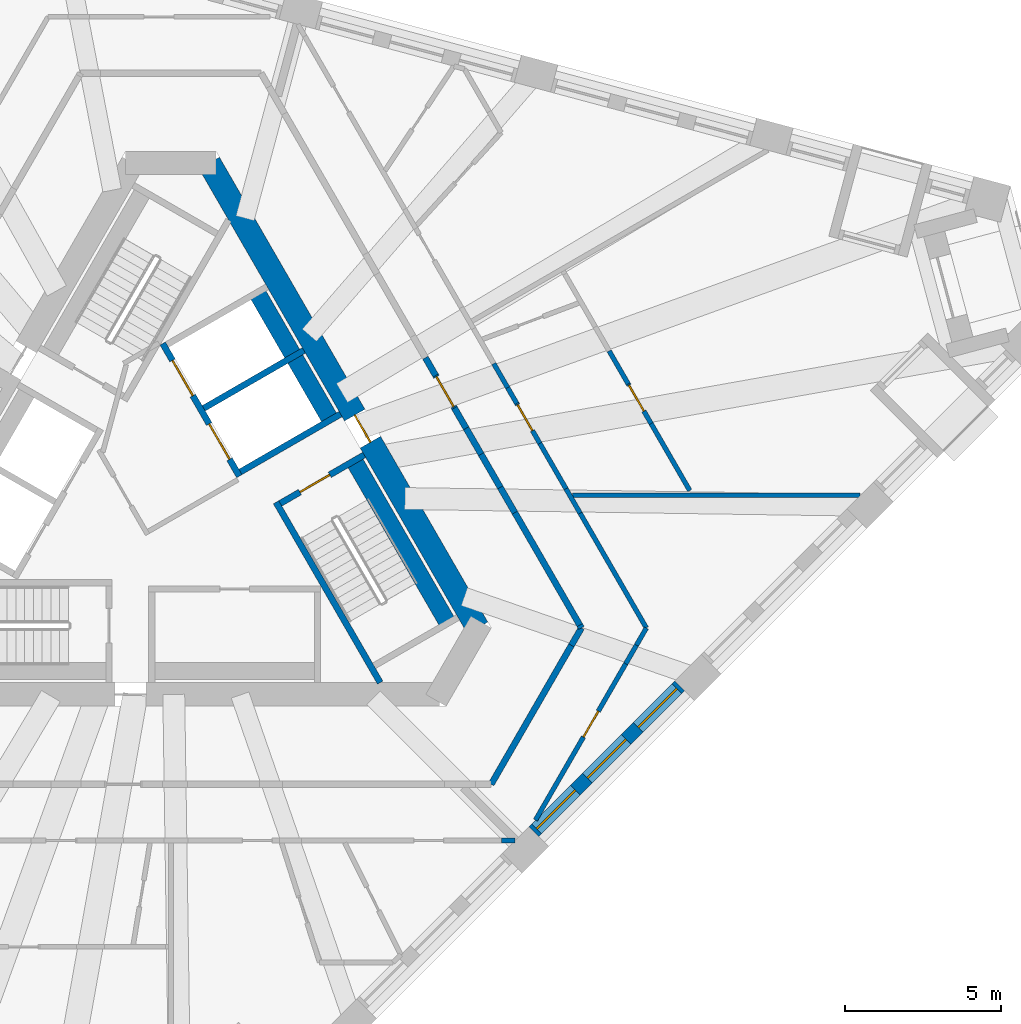
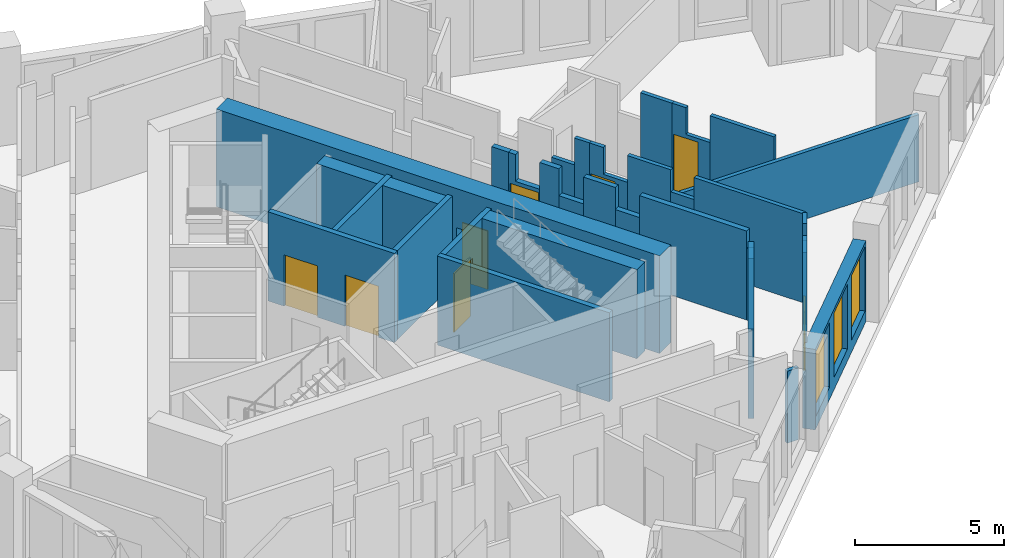
# One storey, part 5 of 13: 33 walls, 8 doors, 3 windows, 11 openings.
"""IFC4 building model written with IfcOpenShell, lengths in metres."""

import ifcopenshell
import ifcopenshell.guid

model = None  # the IFC model being written
_history = None  # IfcOwnerHistory: only IFC2X3 demands one
_inside = {}  # id of a spatial element -> (the spatial element, [elements in it])
_under = {}  # id of a project, library or spatial element -> (it, [spatial elements below it])
_declared = {}  # id of a project -> (the project, [libraries it declares])
_typed = {}  # id of a type object -> (the type object, [elements of that type])
_made_of = {}  # id of a material, layer set ... -> (it, [elements and type objects made of it])


def new_model(schema):
    """Start an empty IFC model of exactly this schema.

    Asked for "IFC4X3", IfcOpenShell would pick the latest addendum, in which some entities
    have other attributes; the version numbers below select the first issue.
    IFC2X3 requires an IfcOwnerHistory on every rooted entity: one is made here for all.
    """
    global model, _history
    if schema == "IFC4X3":
        model = ifcopenshell.file(schema_version=(4, 3, 0, 0))
    else:
        model = ifcopenshell.file(schema=schema)
    _inside.clear()
    _under.clear()
    _declared.clear()
    _typed.clear()
    _made_of.clear()
    _history = None
    if model.schema == "IFC2X3":
        org = make("IfcOrganization", Name="unknown")
        user = make(
            "IfcPersonAndOrganization",
            ThePerson=make("IfcPerson", FamilyName="unknown"),
            TheOrganization=org,
        )
        app = make(
            "IfcApplication",
            ApplicationDeveloper=org,
            Version="unknown",
            ApplicationFullName="unknown",
            ApplicationIdentifier="unknown",
        )
        _history = make(
            "IfcOwnerHistory",
            OwningUser=user,
            OwningApplication=app,
            ChangeAction="ADDED",
            CreationDate=0,
        )
    return model


def make(cls, **values):
    """One entity of the class cls with the attributes given. An attribute that is None is left unset."""
    return model.create_entity(
        cls, **{name: value for name, value in values.items() if value is not None}
    )


def rooted(cls, **values):
    """An entity with a GlobalId (a new one), such as an element, a storey or a relation."""
    return make(cls, GlobalId=ifcopenshell.guid.new(), OwnerHistory=_history, **values)


def si_unit(unit_type, name, prefix=None):
    """IfcSIUnit, for example si_unit("LENGTHUNIT", "METRE", prefix="MILLI")."""
    return make("IfcSIUnit", UnitType=unit_type, Prefix=prefix, Name=name)


def assignment(units):
    """IfcUnitAssignment: the units of a project."""
    return None if units is None else make("IfcUnitAssignment", Units=units)


def point(xyz):
    """IfcCartesianPoint."""
    return None if xyz is None else make("IfcCartesianPoint", Coordinates=xyz)


def direction(xyz):
    """IfcDirection."""
    return None if xyz is None else make("IfcDirection", DirectionRatios=xyz)


def frame(location, z_axis=None, x_axis=None):
    """IfcAxis2Placement3D, a coordinate frame: its origin and axes. An axis left out is left unset."""
    return make(
        "IfcAxis2Placement3D",
        Location=point(location),
        Axis=direction(z_axis),
        RefDirection=direction(x_axis),
    )


def frame_2d(location, x_axis=None):
    """IfcAxis2Placement2D, a coordinate frame in the plane: its origin and x axis."""
    return make(
        "IfcAxis2Placement2D", Location=point(location), RefDirection=direction(x_axis)
    )


def origin():
    """The frame at (0, 0, 0) with its axes left unset."""
    return frame((0.0, 0.0, 0.0))


def place(relative_to, where):
    """IfcLocalPlacement: puts the frame where relative to a parent placement (None: the world)."""
    return make(
        "IfcLocalPlacement", PlacementRelTo=relative_to, RelativePlacement=where
    )


def context(
    kind, dimensions, precision=None, world=None, true_north=None, identifier=None
):
    """IfcGeometricRepresentationContext, for example the 3D "Model" context."""
    return make(
        "IfcGeometricRepresentationContext",
        ContextIdentifier=identifier,
        ContextType=kind,
        CoordinateSpaceDimension=dimensions,
        Precision=precision,
        WorldCoordinateSystem=world,
        TrueNorth=true_north,
    )


def subcontext(parent, identifier, kind, view, scale=None):
    """IfcGeometricRepresentationSubContext, for example "Body" below "Model"."""
    return make(
        "IfcGeometricRepresentationSubContext",
        ContextIdentifier=identifier,
        ContextType=kind,
        ParentContext=parent,
        TargetScale=scale,
        TargetView=view,
    )


def project(units=None, contexts=None):
    """IfcProject with its units and contexts."""
    return rooted(
        "IfcProject",
        Name="project",
        RepresentationContexts=contexts,
        UnitsInContext=assignment(units),
    )


def spatial(cls, under=None, at=None, **own):
    """A site, building, storey or space (cls), placed at a placement, below another one or the project."""
    s = rooted(cls, ObjectPlacement=at, **own)
    if under is not None:
        _under.setdefault(under.id(), (under, []))[1].append(s)
    return s


def polyline(points):
    """IfcPolyline through the points."""
    return make("IfcPolyline", Points=[point(p) for p in points])


def profile(cls, at=None, kind="AREA", **sizes):
    """A parametric profile (cls). Its sizes go by their IFC names, for example OverallWidth=200.0."""
    return make(cls, ProfileType=kind, Position=at, **sizes)


def rectangle(**sizes):
    """IfcRectangleProfileDef."""
    return profile("IfcRectangleProfileDef", **sizes)


def outline(outer, holes=None, kind="AREA"):
    """IfcArbitraryClosedProfileDef: a profile drawn as a closed curve; with holes, ...WithVoids."""
    if holes is None:
        return make("IfcArbitraryClosedProfileDef", ProfileType=kind, OuterCurve=outer)
    return make(
        "IfcArbitraryProfileDefWithVoids",
        ProfileType=kind,
        OuterCurve=outer,
        InnerCurves=holes,
    )


def extrude(swept, where, along, depth):
    """IfcExtrudedAreaSolid: the profile swept, set in the frame where, extruded along a direction by depth."""
    return make(
        "IfcExtrudedAreaSolid",
        SweptArea=swept,
        Position=where,
        ExtrudedDirection=direction(along),
        Depth=depth,
    )


def shape(context_of_items, identifier, shape_type, items):
    """IfcShapeRepresentation: the items that make up one representation, for example the "Body"."""
    return make(
        "IfcShapeRepresentation",
        ContextOfItems=context_of_items,
        RepresentationIdentifier=identifier,
        RepresentationType=shape_type,
        Items=items,
    )


def material(Name=None, Category=None):
    """IfcMaterial."""
    return make("IfcMaterial", Name=Name, Category=Category)


def layer(
    of_material, thickness, ventilated=None, Name=None, Category=None, Priority=None
):
    """IfcMaterialLayer: one layer of a wall or slab, of a material (None: an air gap)."""
    return make(
        "IfcMaterialLayer",
        Material=of_material,
        LayerThickness=thickness,
        IsVentilated=ventilated,
        Name=Name,
        Category=Category,
        Priority=Priority,
    )


def layer_set(layers, Name=None):
    """IfcMaterialLayerSet."""
    return make("IfcMaterialLayerSet", MaterialLayers=layers, LayerSetName=Name)


def made_of(thing, what):
    """Note that an element or type object is made of a material, layer set ...; save() writes the relation."""
    if what is not None:
        _made_of.setdefault(what.id(), (what, []))[1].append(thing)
    return thing


def type_object(cls, material=None, **own):
    """A type object (cls), such as IfcWallType, which elements share."""
    return made_of(rooted(cls, **own), material)


def element(
    cls,
    number,
    at=None,
    inside=None,
    cuts=None,
    type_object=None,
    material=None,
    context=None,
    identifier="Body",
    shape_type=None,
    held_by="IfcProductDefinitionShape",
    body=None,
    shapes=None,
    **own,
):
    """One element of the class cls, such as IfcWall. Its Tag is "e" and its number.

    at: its placement. inside: the storey or other place that contains it. cuts: it is an
    opening in that element (IfcRelVoidsElement). A single representation is given by context,
    identifier, shape_type and body (its items); several are given by shapes. held_by: the class
    of the entity that holds the representations. save() writes the other relations.
    """
    e = rooted(cls, Tag="e%d" % number, ObjectPlacement=at, **own)
    if body is not None:
        shapes = [shape(context, identifier, shape_type, body)]
    if shapes is not None:
        e.Representation = make(held_by, Representations=shapes)
    if inside is not None:
        _inside.setdefault(inside.id(), (inside, []))[1].append(e)
    if cuts is not None:
        rooted(
            "IfcRelVoidsElement", RelatingBuildingElement=cuts, RelatedOpeningElement=e
        )
    if type_object is not None:
        _typed.setdefault(type_object.id(), (type_object, []))[1].append(e)
    return made_of(e, material)


def fill(opening, filler):
    """IfcRelFillsElement: the door or window that sits in an opening."""
    return rooted(
        "IfcRelFillsElement",
        RelatingOpeningElement=opening,
        RelatedBuildingElement=filler,
    )


def aggregate(whole, parts):
    """IfcRelAggregates: a whole, such as a stair, and the parts it consists of."""
    return rooted("IfcRelAggregates", RelatingObject=whole, RelatedObjects=parts)


def save(model, path):
    """Write the relations noted so far, then the file.

    IfcRelAggregates (storeys below a building ...), IfcRelContainedInSpatialStructure (elements
    in a storey), IfcRelDefinesByType, IfcRelAssociatesMaterial and IfcRelDeclares: one each for
    every whole, place, type object, material and project.
    """
    for whole, parts in _under.values():
        aggregate(whole, parts)
    for where, things in _inside.values():
        rooted(
            "IfcRelContainedInSpatialStructure",
            RelatedElements=things,
            RelatingStructure=where,
        )
    for kind, things in _typed.values():
        rooted("IfcRelDefinesByType", RelatedObjects=things, RelatingType=kind)
    for what, things in _made_of.values():
        rooted("IfcRelAssociatesMaterial", RelatedObjects=things, RelatingMaterial=what)
    for by, libraries in _declared.values():
        rooted("IfcRelDeclares", RelatingContext=by, RelatedDefinitions=libraries)
    model.write(path)


model = new_model("IFC4")

# Units and contexts
model_context = context("Model", 3, precision=1e-05, world=origin(), true_north=direction((0.0, 1.0)))
body_context = subcontext(model_context, "Body", "Model", "MODEL_VIEW")
ifc_project = project(units=[si_unit("LENGTHUNIT", "METRE"), si_unit("AREAUNIT", "SQUARE_METRE"), si_unit("VOLUMEUNIT", "CUBIC_METRE"), si_unit("PLANEANGLEUNIT", "RADIAN"), si_unit("MASSUNIT", "GRAM", prefix="KILO")], contexts=[model_context])

# Site, building, storey
site_placement = place(None, origin())
site = spatial("IfcSite", under=ifc_project, at=site_placement, CompositionType="ELEMENT")
building_placement = place(site_placement, origin())
building = spatial("IfcBuilding", under=site, at=building_placement, Name="Tramontana Tower", CompositionType="ELEMENT")
storey_placement = place(building_placement, frame((0.0, 0.0, 204.0)))
storey = spatial("IfcBuildingStorey", under=building, at=storey_placement, Name="L47", CompositionType="ELEMENT", Elevation=204.0)

# Wall, opening, door
ifc_material_1 = material(Name="Concrete 70 MPa", Category="concrete")
ifc_layer_1 = layer(ifc_material_1, 0.75)
ifc_layer_set_1 = layer_set([ifc_layer_1], Name="Core wall 750 70 MPa")
wall_type_1 = type_object("IfcWallType", Name="Core wall 750 70 MPa", PredefinedType="SHEAR", material=ifc_layer_set_1)
wall_1_placement = place(storey_placement, frame((9.81494140625, -4.25, 0.0), z_axis=(0.0, 0.0, 1.0), x_axis=(-0.500002161919, 0.866024155596, 0.0)))
wall_1 = element("IfcWall", 1, at=wall_1_placement, inside=storey, type_object=wall_type_1, Name="Core wall C5 L47", PredefinedType="SHEAR", context=body_context, shape_type="SweptSolid", body=[
    extrude(rectangle(XDim=17.17626953125, YDim=0.75, at=frame_2d((8.588134765625, 0.0))), origin(), (0.0, 0.0, 1.0), 4.0),
])
opening_1_placement = place(wall_1_placement, frame((6.863037109375, 0.0, 0.0)))
opening_1 = element("IfcOpeningElement", 2, at=opening_1_placement, cuts=wall_1, Name="Opening RG3", PredefinedType="OPENING", context=body_context, shape_type="SweptSolid", body=[
    extrude(rectangle(XDim=1.0, YDim=2.39990234375, at=frame_2d((0.5, 1.199951171875))), frame((0.0, 0.385009765625, 0.0), z_axis=(0.0, -1.0, 0.0), x_axis=(1.0, 0.0, 0.0)), (0.0, 0.0, 1.0), 0.77001953125),
])
ifc_material_2 = material(Name="Painted steel", Category="steel")
door_type_1 = type_object("IfcDoorType", Name="RING DOOR 1000", OperationType="SINGLE_SWING_LEFT", PredefinedType="DOOR", material=ifc_material_2)
door_1_placement = place(opening_1_placement, origin())
door_1 = element("IfcDoor", 3, at=door_1_placement, inside=storey, type_object=door_type_1, Name="Door RG3", OperationType="SINGLE_SWING_LEFT", OverallHeight=2.39990234375, OverallWidth=1.0, PredefinedType="DOOR", context=body_context, shape_type="SweptSolid", body=[
    extrude(rectangle(XDim=1.0, YDim=2.39990234375, at=frame_2d((0.5, 1.199951171875))), frame((0.0, 0.02490234375, 0.0), z_axis=(0.0, -1.0, 0.0), x_axis=(1.0, 0.0, 0.0)), (0.0, 0.0, 1.0), 0.050048828125),
])
fill(opening_1, door_1)

# Wall
ifc_material_3 = material(Name="Blockwork", Category="masonry")
ifc_layer_2 = layer(ifc_material_3, 0.199951171875)
ifc_layer_set_2 = layer_set([ifc_layer_2], Name="ENTRY WALL 200")
wall_type_2 = type_object("IfcWallType", Name="ENTRY WALL 200", PredefinedType="SOLIDWALL", material=ifc_layer_set_2)
wall_2_placement = place(storey_placement, frame((8.143310546875, 4.3955078125, 0.0), z_axis=(0.0, 0.0, 1.0), x_axis=(0.499776065732, -0.866154653697, 0.0)))
element("IfcWall", 4, at=wall_2_placement, inside=storey, type_object=wall_type_2, Name="Wall v50-ew0-6", PredefinedType="SOLIDWALL", context=body_context, shape_type="SweptSolid", body=[
    extrude(rectangle(XDim=0.656982421875, YDim=0.199951171875, at=frame_2d((0.32861328125, 0.0))), origin(), (0.0, 0.0, 1.0), 3.64990234375),
])

# Wall, opening, door
wall_3_placement = place(storey_placement, frame((8.4716796875, 3.826416015625, 0.0), z_axis=(0.0, 0.0, 1.0), x_axis=(0.500033551112, -0.866006032174, 0.0)))
wall_3 = element("IfcWall", 5, at=wall_3_placement, inside=storey, type_object=wall_type_2, Name="Wall v50-ew0-7", PredefinedType="SOLIDWALL", context=body_context, shape_type="SweptSolid", body=[
    extrude(outline(polyline([(0.0, 0.0), (1.2001953125, 0.0), (1.199951171875, 2.550048828125), (0.2666015625, 2.550048828125), (0.2666015625, 3.64990234375), (0.0, 3.64990234375), (0.0, 0.0)])), frame((0.0, 0.10009765625, 0.0), z_axis=(0.0, -1.0, 0.0), x_axis=(1.0, 0.0, 0.0)), (0.0, 0.0, 1.0), 0.199951171875),
])
opening_2_placement = place(wall_3_placement, frame((0.050048828125, 0.0, 0.0)))
opening_2 = element("IfcOpeningElement", 6, at=opening_2_placement, cuts=wall_3, Name="Opening B5A-24", PredefinedType="OPENING", context=body_context, shape_type="SweptSolid", body=[
    extrude(rectangle(XDim=1.10009765625, YDim=2.39990234375, at=frame_2d((0.550048828125, 1.199951171875))), frame((0.0, 0.10986328125, 0.0), z_axis=(0.0, -1.0, 0.0), x_axis=(1.0, 0.0, 0.0)), (0.0, 0.0, 1.0), 0.219970703125),
])
ifc_material_4 = material(Name="Painted timber", Category="wood")
door_type_2 = type_object("IfcDoorType", Name="DOOR ENTRY 1100", OperationType="SINGLE_SWING_LEFT", PredefinedType="DOOR", material=ifc_material_4)
door_2_placement = place(opening_2_placement, origin())
door_2 = element("IfcDoor", 7, at=door_2_placement, inside=storey, type_object=door_type_2, Name="Door B5A-24", OperationType="SINGLE_SWING_RIGHT", OverallHeight=2.39990234375, OverallWidth=1.10009765625, PredefinedType="DOOR", context=body_context, shape_type="SweptSolid", body=[
    extrude(rectangle(XDim=1.10009765625, YDim=2.39990234375, at=frame_2d((0.550048828125, 1.199951171875))), frame((0.0, 0.02490234375, 0.0), z_axis=(0.0, -1.0, 0.0), x_axis=(1.0, 0.0, 0.0)), (0.0, 0.0, 1.0), 0.050048828125),
])
fill(opening_2, door_2)

# Walls
wall_4_placement = place(storey_placement, frame((9.07177734375, 2.787109375, 0.0), z_axis=(0.0, 0.0, 1.0), x_axis=(0.50020163859, -0.865908956387, 0.0)))
element("IfcWall", 8, at=wall_4_placement, inside=storey, type_object=wall_type_2, Name="Wall v50-ew0-8", PredefinedType="SOLIDWALL", context=body_context, shape_type="SweptSolid", body=[
    extrude(rectangle(XDim=0.749755859375, YDim=0.199951171875, at=frame_2d((0.375, 0.0))), origin(), (0.0, 0.0, 1.0), 3.64990234375),
])
wall_5_placement = place(storey_placement, frame((9.44677734375, 2.137939453125, 0.0), z_axis=(0.0, 0.0, 1.0), x_axis=(0.499869636591, -0.866100656052, 0.0)))
element("IfcWall", 9, at=wall_5_placement, inside=storey, type_object=wall_type_2, Name="Wall v50-ew0-9", PredefinedType="SOLIDWALL", context=body_context, shape_type="SweptSolid", body=[
    extrude(rectangle(XDim=0.957275390625, YDim=0.199951171875, at=frame_2d((0.478515625, 0.0))), origin(), (0.0, 0.0, 1.0), 2.550048828125),
])
wall_6_placement = place(storey_placement, frame((9.92529296875, 1.308837890625, 0.0), z_axis=(0.0, 0.0, 1.0), x_axis=(0.500055461028, -0.865993380977, 0.0)))
element("IfcWall", 10, at=wall_6_placement, inside=storey, type_object=wall_type_2, Name="Wall v50-ew0-10", PredefinedType="SOLIDWALL", context=body_context, shape_type="SweptSolid", body=[
    extrude(rectangle(XDim=1.226806640625, YDim=0.199951171875, at=frame_2d((0.61328125, 0.0))), origin(), (0.0, 0.0, 1.0), 3.64990234375),
])
wall_7_placement = place(storey_placement, frame((10.538818359375, 0.246337890625, 0.0), z_axis=(0.0, 0.0, 1.0), x_axis=(0.499971966783, -0.866041588165, 0.0)))
element("IfcWall", 11, at=wall_7_placement, inside=storey, type_object=wall_type_2, Name="Wall v50-ew0-11", PredefinedType="SOLIDWALL", context=body_context, shape_type="SweptSolid", body=[
    extrude(rectangle(XDim=0.931640625, YDim=0.199951171875, at=frame_2d((0.4658203125, 0.0))), origin(), (0.0, 0.0, 1.0), 2.75),
])
wall_8_placement = place(storey_placement, frame((11.004638671875, -0.560546875, 0.0), z_axis=(0.0, 0.0, 1.0), x_axis=(0.499993700073, -0.866029041019, 0.0)))
element("IfcWall", 12, at=wall_8_placement, inside=storey, type_object=wall_type_2, Name="Wall v50-ew0-12", PredefinedType="SOLIDWALL", context=body_context, shape_type="SweptSolid", body=[
    extrude(rectangle(XDim=4.1552734375, YDim=0.199951171875, at=frame_2d((2.07763671875, 0.0))), origin(), (0.0, 0.0, 1.0), 3.64990234375),
])
wall_9_placement = place(storey_placement, frame((13.082275390625, -4.1591796875, 0.0), z_axis=(0.0, 0.0, 1.0), x_axis=(0.500393920955, -0.865797853931, 0.0)))
element("IfcWall", 13, at=wall_9_placement, inside=storey, type_object=wall_type_2, Name="Wall v50-ew0-13", PredefinedType="SOLIDWALL", context=body_context, shape_type="SweptSolid", body=[
    extrude(rectangle(XDim=0.10498046875, YDim=0.199951171875, at=frame_2d((0.052490234375, 0.0))), origin(), (0.0, 0.0, 1.0), 2.949951171875),
])
wall_10_placement = place(storey_placement, frame((13.134765625, -4.25, 0.0), z_axis=(0.0, 0.0, 1.0), x_axis=(-0.500018234033, -0.866014876105, 0.0)))
element("IfcWall", 14, at=wall_10_placement, inside=storey, type_object=wall_type_2, Name="Wall v50-ew1-0", PredefinedType="SOLIDWALL", context=body_context, shape_type="SweptSolid", body=[
    extrude(rectangle(XDim=0.64306640625, YDim=0.199951171875, at=frame_2d((0.321533203125, 0.0))), origin(), (0.0, 0.0, 1.0), 2.949951171875),
])
wall_11_placement = place(storey_placement, frame((12.813232421875, -4.806884765625, 0.0), z_axis=(0.0, 0.0, 1.0), x_axis=(-0.499992949462, -0.866029474376, 0.0)))
element("IfcWall", 15, at=wall_11_placement, inside=storey, type_object=wall_type_2, Name="Wall v50-ew1-1", PredefinedType="SOLIDWALL", context=body_context, shape_type="SweptSolid", body=[
    extrude(rectangle(XDim=5.13037109375, YDim=0.199951171875, at=frame_2d((2.565185546875, 0.0))), origin(), (0.0, 0.0, 1.0), 3.64990234375),
])

# Wall, openings, windows
ifc_material_5 = material(Name="Precast concrete 60 MPa", Category="concrete")
ifc_layer_3 = layer(ifc_material_5, 0.449951171875)
ifc_layer_set_3 = layer_set([ifc_layer_3], Name="Precast concrete 60 MPa, 450 mm")
wall_type_3 = type_object("IfcWallType", Name="EW1 Stone-faced precast wall 450", PredefinedType="SOLIDWALL", material=ifc_layer_set_3)
wall_12_placement = place(storey_placement, frame((11.6142578125, -10.765625, 0.0), z_axis=(0.0, 0.0, 1.0), x_axis=(0.707106781187, 0.707106781187, 0.0)))
wall_12 = element("IfcWall", 16, at=wall_12_placement, inside=storey, type_object=wall_type_3, Name="External wall L47 face 1 bay 4", PredefinedType="SOLIDWALL", context=body_context, shape_type="SweptSolid", body=[
    extrude(rectangle(XDim=6.59423828125, YDim=0.449951171875, at=frame_2d((3.297119140625, 0.0))), origin(), (0.0, 0.0, 1.0), 3.300048828125),
])
opening_3_placement = place(wall_12_placement, frame((0.1240234375, 0.0, 0.5)))
opening_3 = element("IfcOpeningElement", 17, at=opening_3_placement, cuts=wall_12, Name="Opening M2", PredefinedType="OPENING", context=body_context, shape_type="SweptSolid", body=[
    extrude(rectangle(XDim=1.75, YDim=2.64990234375, at=frame_2d((0.875, 1.324951171875))), frame((0.0, 0.23486328125, 0.0), z_axis=(0.0, -1.0, 0.0), x_axis=(1.0, 0.0, 0.0)), (0.0, 0.0, 1.0), 0.469970703125),
])
opening_4_placement = place(wall_12_placement, frame((2.422119140625, 0.0, 0.5)))
opening_4 = element("IfcOpeningElement", 18, at=opening_4_placement, cuts=wall_12, Name="Opening M2", PredefinedType="OPENING", context=body_context, shape_type="SweptSolid", body=[
    extrude(rectangle(XDim=1.75, YDim=2.64990234375, at=frame_2d((0.875, 1.324951171875))), frame((0.0, 0.23486328125, 0.0), z_axis=(0.0, -1.0, 0.0), x_axis=(1.0, 0.0, 0.0)), (0.0, 0.0, 1.0), 0.469970703125),
])
opening_5_placement = place(wall_12_placement, frame((4.72021484375, 0.0, 0.5)))
opening_5 = element("IfcOpeningElement", 19, at=opening_5_placement, cuts=wall_12, Name="Opening M2", PredefinedType="OPENING", context=body_context, shape_type="SweptSolid", body=[
    extrude(rectangle(XDim=1.75, YDim=2.64990234375, at=frame_2d((0.875, 1.324951171875))), frame((0.0, 0.23486328125, 0.0), z_axis=(0.0, -1.0, 0.0), x_axis=(1.0, 0.0, 0.0)), (0.0, 0.0, 1.0), 0.469970703125),
])
ifc_material_6 = material(Name="Aluminum frame, double glazing unit", Category="aluminium")
window_type = type_object("IfcWindowType", Name="M2 Window 1.75 x 2.65", PartitioningType="SINGLE_PANEL", PredefinedType="WINDOW", material=ifc_material_6)
window_1_placement = place(opening_3_placement, origin())
window_1 = element("IfcWindow", 20, at=window_1_placement, inside=storey, type_object=window_type, Name="Window M2 L47 face 1 module 10", OverallHeight=2.64990234375, OverallWidth=1.75, PartitioningType="SINGLE_PANEL", PredefinedType="WINDOW", context=body_context, shape_type="SweptSolid", body=[
    extrude(rectangle(XDim=1.75, YDim=2.64990234375, at=frame_2d((0.875, 1.324951171875))), frame((0.0, 0.030029296875, 0.0), z_axis=(0.0, -1.0, 0.0), x_axis=(1.0, 0.0, 0.0)), (0.0, 0.0, 1.0), 0.06005859375),
])
fill(opening_3, window_1)
window_2_placement = place(opening_4_placement, origin())
window_2 = element("IfcWindow", 21, at=window_2_placement, inside=storey, type_object=window_type, Name="Window M2 L47 face 1 module 11", OverallHeight=2.64990234375, OverallWidth=1.75, PartitioningType="SINGLE_PANEL", PredefinedType="WINDOW", context=body_context, shape_type="SweptSolid", body=[
    extrude(rectangle(XDim=1.75, YDim=2.64990234375, at=frame_2d((0.875, 1.324951171875))), frame((0.0, 0.030029296875, 0.0), z_axis=(0.0, -1.0, 0.0), x_axis=(1.0, 0.0, 0.0)), (0.0, 0.0, 1.0), 0.06005859375),
])
fill(opening_4, window_2)
window_3_placement = place(opening_5_placement, origin())
window_3 = element("IfcWindow", 22, at=window_3_placement, inside=storey, type_object=window_type, Name="Window M2 L47 face 1 module 12", OverallHeight=2.64990234375, OverallWidth=1.75, PartitioningType="SINGLE_PANEL", PredefinedType="WINDOW", context=body_context, shape_type="SweptSolid", body=[
    extrude(rectangle(XDim=1.75, YDim=2.64990234375, at=frame_2d((0.875, 1.324951171875))), frame((0.0, 0.030029296875, 0.0), z_axis=(0.0, -1.0, 0.0), x_axis=(1.0, 0.0, 0.0)), (0.0, 0.0, 1.0), 0.06005859375),
])
fill(opening_5, window_3)

# Walls
ifc_material_7 = material(Name="Gypsum board partition")
ifc_layer_4 = layer(ifc_material_7, 0.14990234375)
ifc_layer_set_4 = layer_set([ifc_layer_4], Name="PARTITION 150")
wall_type_4 = type_object("IfcWallType", Name="PARTITION 150", PredefinedType="PARTITIONING", material=ifc_layer_set_4)
wall_13_placement = place(storey_placement, frame((10.330322265625, 4.20703125, 0.0), z_axis=(0.0, 0.0, 1.0), x_axis=(0.500245559984, -0.865883583235, 0.0)))
element("IfcWall", 23, at=wall_13_placement, inside=storey, type_object=wall_type_4, Name="Wall v50-pw13-6", PredefinedType="PARTITIONING", context=body_context, shape_type="SweptSolid", body=[
    extrude(rectangle(XDim=0.888671875, YDim=0.14990234375, at=frame_2d((0.4443359375, 0.0))), origin(), (0.0, 0.0, 1.0), 2.550048828125),
])
wall_14_placement = place(storey_placement, frame((10.77490234375, 3.4375, 0.0), z_axis=(0.0, 0.0, 1.0), x_axis=(0.499818765479, -0.866130014302, 0.0)))
element("IfcWall", 24, at=wall_14_placement, inside=storey, type_object=wall_type_4, Name="Wall v50-pw13-7", PredefinedType="PARTITIONING", context=body_context, shape_type="SweptSolid", body=[
    extrude(rectangle(XDim=0.585205078125, YDim=0.14990234375, at=frame_2d((0.29248046875, 0.0))), origin(), (0.0, 0.0, 1.0), 3.64990234375),
])

# Wall, opening, door
wall_15_placement = place(storey_placement, frame((11.0673828125, 2.9306640625, 0.0), z_axis=(0.0, 0.0, 1.0), x_axis=(0.500009564119, -0.866019881867, 0.0)))
wall_15 = element("IfcWall", 25, at=wall_15_placement, inside=storey, type_object=wall_type_4, Name="Wall v50-pw13-8", PredefinedType="PARTITIONING", context=body_context, shape_type="SweptSolid", body=[
    extrude(outline(polyline([(0.0, 0.0), (1.47216796875, 0.0), (1.471923828125, 2.550048828125), (0.541259765625, 2.550048828125), (0.541259765625, 3.64990234375), (0.0, 3.64990234375), (0.0, 0.0)])), frame((0.0, 0.074951171875, 0.0), z_axis=(0.0, -1.0, 0.0), x_axis=(1.0, 0.0, 0.0)), (0.0, 0.0, 1.0), 0.14990234375),
])
opening_6_placement = place(wall_15_placement, frame((0.050048828125, 0.0, 0.0)))
opening_6 = element("IfcOpeningElement", 26, at=opening_6_placement, cuts=wall_15, Name="Opening B5A-11", PredefinedType="OPENING", context=body_context, shape_type="SweptSolid", body=[
    extrude(rectangle(XDim=0.949951171875, YDim=2.39990234375, at=frame_2d((0.47509765625, 1.199951171875))), frame((0.0, 0.0849609375, 0.0), z_axis=(0.0, -1.0, 0.0), x_axis=(1.0, 0.0, 0.0)), (0.0, 0.0, 1.0), 0.169921875),
])
ifc_material_8 = material(Name="Painted timber", Category="wood")
door_type_3 = type_object("IfcDoorType", Name="DOOR ROOM 950", OperationType="SINGLE_SWING_LEFT", PredefinedType="DOOR", material=ifc_material_8)
door_3_placement = place(opening_6_placement, origin())
door_3 = element("IfcDoor", 27, at=door_3_placement, inside=storey, type_object=door_type_3, Name="Door B5A-11", OperationType="SINGLE_SWING_LEFT", OverallHeight=2.39990234375, OverallWidth=0.949951171875, PredefinedType="DOOR", context=body_context, shape_type="SweptSolid", body=[
    extrude(rectangle(XDim=0.949951171875, YDim=2.39990234375, at=frame_2d((0.47509765625, 1.199951171875))), frame((0.0, 0.02490234375, 0.0), z_axis=(0.0, -1.0, 0.0), x_axis=(1.0, 0.0, 0.0)), (0.0, 0.0, 1.0), 0.050048828125),
])
fill(opening_6, door_3)

# Walls
wall_16_placement = place(storey_placement, frame((11.803466796875, 1.65576171875, 0.0), z_axis=(0.0, 0.0, 1.0), x_axis=(0.499974444137, -0.866040157966, 0.0)))
element("IfcWall", 28, at=wall_16_placement, inside=storey, type_object=wall_type_4, Name="Wall v50-pw13-9", PredefinedType="PARTITIONING", context=body_context, shape_type="SweptSolid", body=[
    extrude(rectangle(XDim=1.67724609375, YDim=0.14990234375, at=frame_2d((0.838623046875, 0.0))), origin(), (0.0, 0.0, 1.0), 3.64990234375),
])
wall_17_placement = place(storey_placement, frame((12.64208984375, 0.203125, 0.0), z_axis=(0.0, 0.0, 1.0), x_axis=(0.500065807255, -0.865987406614, 0.0)))
element("IfcWall", 29, at=wall_17_placement, inside=storey, type_object=wall_type_4, Name="Wall v50-pw13-10", PredefinedType="PARTITIONING", context=body_context, shape_type="SweptSolid", body=[
    extrude(rectangle(XDim=0.90283203125, YDim=0.14990234375, at=frame_2d((0.451416015625, 0.0))), origin(), (0.0, 0.0, 1.0), 2.75),
])
wall_18_placement = place(storey_placement, frame((13.093505859375, -0.57861328125, 0.0), z_axis=(0.0, 0.0, 1.0), x_axis=(0.499991648869, -0.866030225258, 0.0)))
element("IfcWall", 30, at=wall_18_placement, inside=storey, type_object=wall_type_4, Name="Wall v50-pw13-11", PredefinedType="PARTITIONING", context=body_context, shape_type="SweptSolid", body=[
    extrude(rectangle(XDim=4.2392578125, YDim=0.14990234375, at=frame_2d((2.11962890625, 0.0))), origin(), (0.0, 0.0, 1.0), 3.64990234375),
])
wall_19_placement = place(storey_placement, frame((11.01171875, -11.050048828125, 0.0), z_axis=(0.0, 0.0, 1.0), x_axis=(-1.0, 0.0, 0.0)))
element("IfcWall", 31, at=wall_19_placement, inside=storey, type_object=wall_type_4, Name="Wall v50-pw24-0", PredefinedType="PARTITIONING", context=body_context, shape_type="SweptSolid", body=[
    extrude(rectangle(XDim=0.43896484375, YDim=0.14990234375, at=frame_2d((0.219482421875, 0.0))), origin(), (0.0, 0.0, 1.0), 2.949951171875),
])
wall_20_placement = place(storey_placement, frame((14.021728515625, 4.613525390625, 0.0), z_axis=(0.0, 0.0, 1.0), x_axis=(0.50005746179, -0.865992225662, 0.0)))
element("IfcWall", 32, at=wall_20_placement, inside=storey, type_object=wall_type_4, Name="Wall v50-pw25-3", PredefinedType="PARTITIONING", context=body_context, shape_type="SweptSolid", body=[
    extrude(rectangle(XDim=1.219482421875, YDim=0.14990234375, at=frame_2d((0.60986328125, 0.0))), origin(), (0.0, 0.0, 1.0), 3.64990234375),
])

# Wall, opening, door
wall_21_placement = place(storey_placement, frame((14.631591796875, 3.557373046875, 0.0), z_axis=(0.0, 0.0, 1.0), x_axis=(0.50003034938, -0.866007880853, 0.0)))
wall_21 = element("IfcWall", 33, at=wall_21_placement, inside=storey, type_object=wall_type_4, Name="Wall v50-pw25-4", PredefinedType="PARTITIONING", context=body_context, shape_type="SweptSolid", body=[
    extrude(outline(polyline([(0.0, 0.0), (1.46435546875, 0.0), (1.464111328125, 2.550048828125), (0.53369140625, 2.550048828125), (0.53369140625, 3.64990234375), (0.0, 3.64990234375), (0.0, 0.0)])), frame((0.0, 0.074951171875, 0.0), z_axis=(0.0, -1.0, 0.0), x_axis=(1.0, 0.0, 0.0)), (0.0, 0.0, 1.0), 0.14990234375),
])
opening_7_placement = place(wall_21_placement, frame((0.050048828125, 0.0, 0.0)))
opening_7 = element("IfcOpeningElement", 34, at=opening_7_placement, cuts=wall_21, Name="Opening B5A-19", PredefinedType="OPENING", context=body_context, shape_type="SweptSolid", body=[
    extrude(rectangle(XDim=0.949951171875, YDim=2.39990234375, at=frame_2d((0.47509765625, 1.199951171875))), frame((0.0, 0.0849609375, 0.0), z_axis=(0.0, -1.0, 0.0), x_axis=(1.0, 0.0, 0.0)), (0.0, 0.0, 1.0), 0.169921875),
])
door_4_placement = place(opening_7_placement, origin())
door_4 = element("IfcDoor", 35, at=door_4_placement, inside=storey, type_object=door_type_3, Name="Door B5A-19", OperationType="SINGLE_SWING_LEFT", OverallHeight=2.39990234375, OverallWidth=0.949951171875, PredefinedType="DOOR", context=body_context, shape_type="SweptSolid", body=[
    extrude(rectangle(XDim=0.949951171875, YDim=2.39990234375, at=frame_2d((0.47509765625, 1.199951171875))), frame((0.0, 0.02490234375, 0.0), z_axis=(0.0, -1.0, 0.0), x_axis=(1.0, 0.0, 0.0)), (0.0, 0.0, 1.0), 0.050048828125),
])
fill(opening_7, door_4)

# Walls
wall_22_placement = place(storey_placement, frame((15.36376953125, 2.289306640625, 0.0), z_axis=(0.0, 0.0, 1.0), x_axis=(0.499978546328, -0.866037789714, 0.0)))
element("IfcWall", 36, at=wall_22_placement, inside=storey, type_object=wall_type_4, Name="Wall v50-pw25-5", PredefinedType="PARTITIONING", context=body_context, shape_type="SweptSolid", body=[
    extrude(rectangle(XDim=2.4755859375, YDim=0.14990234375, at=frame_2d((1.23779296875, 0.0))), origin(), (0.0, 0.0, 1.0), 3.64990234375),
])
wall_23_placement = place(storey_placement, frame((15.213134765625, -4.25, 0.0), z_axis=(0.0, 0.0, 1.0), x_axis=(-0.499899851437, -0.866083216864, 0.0)))
element("IfcWall", 37, at=wall_23_placement, inside=storey, type_object=wall_type_4, Name="Wall v50-pw26-0", PredefinedType="PARTITIONING", context=body_context, shape_type="SweptSolid", body=[
    extrude(rectangle(XDim=0.635498046875, YDim=0.14990234375, at=frame_2d((0.31787109375, 0.0))), origin(), (0.0, 0.0, 1.0), 3.64990234375),
])
wall_24_placement = place(storey_placement, frame((14.8955078125, -4.80029296875, 0.0), z_axis=(0.0, 0.0, 1.0), x_axis=(-0.5001118933, -0.865960792519, 0.0)))
element("IfcWall", 38, at=wall_24_placement, inside=storey, type_object=wall_type_4, Name="Wall v50-pw26-1", PredefinedType="PARTITIONING", context=body_context, shape_type="SweptSolid", body=[
    extrude(rectangle(XDim=0.687255859375, YDim=0.14990234375, at=frame_2d((0.34375, 0.0))), origin(), (0.0, 0.0, 1.0), 2.949951171875),
])

# Wall, opening, door
wall_25_placement = place(storey_placement, frame((14.5517578125, -5.3955078125, 0.0), z_axis=(0.0, 0.0, 1.0), x_axis=(-0.499984646442, -0.866034267984, 0.0)))
wall_25 = element("IfcWall", 39, at=wall_25_placement, inside=storey, type_object=wall_type_4, Name="Wall v50-pw26-2", PredefinedType="PARTITIONING", context=body_context, shape_type="SweptSolid", body=[
    extrude(rectangle(XDim=5.776611328125, YDim=0.14990234375, at=frame_2d((2.88818359375, 0.0))), origin(), (0.0, 0.0, 1.0), 3.64990234375),
])
opening_8_placement = place(wall_25_placement, frame((1.751953125, 0.0, 0.0)))
opening_8 = element("IfcOpeningElement", 40, at=opening_8_placement, cuts=wall_25, Name="Opening B5A-12", PredefinedType="OPENING", context=body_context, shape_type="SweptSolid", body=[
    extrude(rectangle(XDim=0.949951171875, YDim=2.39990234375, at=frame_2d((0.47509765625, 1.199951171875))), frame((0.0, 0.0849609375, 0.0), z_axis=(0.0, -1.0, 0.0), x_axis=(1.0, 0.0, 0.0)), (0.0, 0.0, 1.0), 0.169921875),
])
door_5_placement = place(opening_8_placement, origin())
door_5 = element("IfcDoor", 41, at=door_5_placement, inside=storey, type_object=door_type_3, Name="Door B5A-12", OperationType="SINGLE_SWING_RIGHT", OverallHeight=2.39990234375, OverallWidth=0.949951171875, PredefinedType="DOOR", context=body_context, shape_type="SweptSolid", body=[
    extrude(rectangle(XDim=0.949951171875, YDim=2.39990234375, at=frame_2d((0.47509765625, 1.199951171875))), frame((0.0, 0.02490234375, 0.0), z_axis=(0.0, -1.0, 0.0), x_axis=(1.0, 0.0, 0.0)), (0.0, 0.0, 1.0), 0.050048828125),
])
fill(opening_8, door_5)

# Walls
wall_26_placement = place(storey_placement, frame((22.053466796875, -0.008056640625, 0.0), z_axis=(0.0, 0.0, 1.0), x_axis=(-0.999999931056, 0.00037133306, 0.0)))
element("IfcWall", 42, at=wall_26_placement, inside=storey, type_object=wall_type_4, Name="Wall v50-pw27-0", PredefinedType="PARTITIONING", context=body_context, shape_type="SweptSolid", body=[
    extrude(rectangle(XDim=9.20458984375, YDim=0.14990234375, at=frame_2d((4.602294921875, 0.0))), origin(), (0.0, 0.0, 1.0), 2.75),
])
ifc_material_9 = material(Name="Concrete 70 MPa", Category="concrete")
ifc_layer_5 = layer(ifc_material_9, 0.550048828125)
ifc_layer_set_5 = layer_set([ifc_layer_5], Name="Concrete 70 MPa, 550 mm")
wall_type_5 = type_object("IfcWallType", Name="RC SHAFT BACK WALL 550", PredefinedType="SOLIDWALL", material=ifc_layer_set_5)
wall_27_placement = place(storey_placement, frame((8.911376953125, -4.18505859375, 0.0), z_axis=(0.0, 0.0, 1.0), x_axis=(-0.500009909098, 0.866019682689, 0.0)))
element("IfcWall", 43, at=wall_27_placement, inside=storey, type_object=wall_type_5, Name="Wall st3-back", PredefinedType="SOLIDWALL", context=body_context, shape_type="SweptSolid", body=[
    extrude(rectangle(XDim=6.199951171875, YDim=0.550048828125, at=frame_2d((3.10009765625, 0.0))), origin(), (0.0, 0.0, 1.0), 3.64990234375),
])
wall_28_placement = place(storey_placement, frame((5.156494140625, 2.31884765625, 0.0), z_axis=(0.0, 0.0, 1.0), x_axis=(-0.500018594424, 0.866014668023, 0.0)))
element("IfcWall", 44, at=wall_28_placement, inside=storey, type_object=wall_type_5, Name="Wall row2-back", PredefinedType="SOLIDWALL", context=body_context, shape_type="SweptSolid", body=[
    extrude(rectangle(XDim=4.900146484375, YDim=0.550048828125, at=frame_2d((2.4501953125, 0.0))), origin(), (0.0, 0.0, 1.0), 3.64990234375),
])
ifc_material_10 = material(Name="Concrete 70 MPa", Category="concrete")
ifc_layer_6 = layer(ifc_material_10, 0.199951171875)
ifc_layer_set_6 = layer_set([ifc_layer_6], Name="Concrete 70 MPa, 200 mm")
wall_type_6 = type_object("IfcWallType", Name="RC STAIR AND SHAFT WALL 200", PredefinedType="SOLIDWALL", material=ifc_layer_set_6)
wall_29_placement = place(storey_placement, frame((6.697265625, -6.0, 0.0), z_axis=(0.0, 0.0, 1.0), x_axis=(-0.499980354584, 0.866036745774, 0.0)))
element("IfcWall", 45, at=wall_29_placement, inside=storey, type_object=wall_type_6, Name="Wall st3-front", PredefinedType="SOLIDWALL", context=body_context, shape_type="SweptSolid", body=[
    extrude(rectangle(XDim=6.664794921875, YDim=0.199951171875, at=frame_2d((3.33251953125, 0.0))), origin(), (0.0, 0.0, 1.0), 3.64990234375),
])

# Wall, opening, door
wall_30_placement = place(storey_placement, frame((3.50146484375, -0.2646484375, 0.0), z_axis=(0.0, 0.0, 1.0), x_axis=(0.866043940782, 0.499967891604, 0.0)))
wall_30 = element("IfcWall", 46, at=wall_30_placement, inside=storey, type_object=wall_type_6, Name="Wall st3-near", PredefinedType="SOLIDWALL", context=body_context, shape_type="SweptSolid", body=[
    extrude(rectangle(XDim=3.099853515625, YDim=0.199951171875, at=frame_2d((1.5498046875, 0.0))), origin(), (0.0, 0.0, 1.0), 3.64990234375),
])
opening_9_placement = place(wall_30_placement, frame((0.72509765625, 0.0, 0.0)))
opening_9 = element("IfcOpeningElement", 47, at=opening_9_placement, cuts=wall_30, Name="Opening SD3", PredefinedType="OPENING", context=body_context, shape_type="SweptSolid", body=[
    extrude(rectangle(XDim=1.10009765625, YDim=2.39990234375, at=frame_2d((0.550048828125, 1.199951171875))), frame((0.0, 0.10986328125, 0.0), z_axis=(0.0, -1.0, 0.0), x_axis=(1.0, 0.0, 0.0)), (0.0, 0.0, 1.0), 0.219970703125),
])
ifc_material_11 = material(Name="Painted steel", Category="steel")
door_type_4 = type_object("IfcDoorType", Name="STAIR DOOR 1100", OperationType="SINGLE_SWING_LEFT", PredefinedType="DOOR", material=ifc_material_11)
door_6_placement = place(opening_9_placement, origin())
door_6 = element("IfcDoor", 48, at=door_6_placement, inside=storey, type_object=door_type_4, Name="Door SD3", OperationType="SINGLE_SWING_RIGHT", OverallHeight=2.39990234375, OverallWidth=1.10009765625, PredefinedType="DOOR", context=body_context, shape_type="SweptSolid", body=[
    extrude(rectangle(XDim=1.10009765625, YDim=2.39990234375, at=frame_2d((0.550048828125, 1.199951171875))), frame((0.0, 0.02490234375, 0.0), z_axis=(0.0, -1.0, 0.0), x_axis=(1.0, 0.0, 0.0)), (0.0, 0.0, 1.0), 0.050048828125),
])
fill(opening_9, door_6)

# Wall, openings, doors
wall_31_placement = place(storey_placement, frame((2.190185546875, 0.6064453125, 0.0), z_axis=(0.0, 0.0, 1.0), x_axis=(-0.500002801628, 0.866023786258, 0.0)))
wall_31 = element("IfcWall", 49, at=wall_31_placement, inside=storey, type_object=wall_type_6, Name="Wall row2-front", PredefinedType="SOLIDWALL", context=body_context, shape_type="SweptSolid", body=[
    extrude(rectangle(XDim=4.89990234375, YDim=0.199951171875, at=frame_2d((2.449951171875, 0.0))), origin(), (0.0, 0.0, 1.0), 3.64990234375),
])
opening_10_placement = place(wall_31_placement, frame((0.625, 0.0, 0.0)))
opening_10 = element("IfcOpeningElement", 50, at=opening_10_placement, cuts=wall_31, Name="Opening LD-F1", PredefinedType="OPENING", context=body_context, shape_type="SweptSolid", body=[
    extrude(rectangle(XDim=1.300048828125, YDim=2.10009765625, at=frame_2d((0.64990234375, 1.050048828125))), frame((0.0, 0.10986328125, 0.0), z_axis=(0.0, -1.0, 0.0), x_axis=(1.0, 0.0, 0.0)), (0.0, 0.0, 1.0), 0.219970703125),
])
opening_11_placement = place(wall_31_placement, frame((2.97509765625, 0.0, 0.0)))
opening_11 = element("IfcOpeningElement", 51, at=opening_11_placement, cuts=wall_31, Name="Opening LD-F2", PredefinedType="OPENING", context=body_context, shape_type="SweptSolid", body=[
    extrude(rectangle(XDim=1.300048828125, YDim=2.10009765625, at=frame_2d((0.64990234375, 1.050048828125))), frame((0.0, 0.10986328125, 0.0), z_axis=(0.0, -1.0, 0.0), x_axis=(1.0, 0.0, 0.0)), (0.0, 0.0, 1.0), 0.219970703125),
])
ifc_material_12 = material(Name="Brushed steel", Category="steel")
door_type_5 = type_object("IfcDoorType", Name="LANDING DOOR 1300", OperationType="SINGLE_SWING_LEFT", PredefinedType="DOOR", material=ifc_material_12)
door_7_placement = place(opening_10_placement, origin())
door_7 = element("IfcDoor", 52, at=door_7_placement, inside=storey, type_object=door_type_5, Name="Door LD-F1", OperationType="SLIDING_TO_RIGHT", OverallHeight=2.10009765625, OverallWidth=1.300048828125, PredefinedType="DOOR", context=body_context, shape_type="SweptSolid", body=[
    extrude(rectangle(XDim=1.300048828125, YDim=2.10009765625, at=frame_2d((0.64990234375, 1.050048828125))), frame((0.0, 0.02490234375, 0.0), z_axis=(0.0, -1.0, 0.0), x_axis=(1.0, 0.0, 0.0)), (0.0, 0.0, 1.0), 0.050048828125),
])
fill(opening_10, door_7)
door_8_placement = place(opening_11_placement, origin())
door_8 = element("IfcDoor", 53, at=door_8_placement, inside=storey, type_object=door_type_5, Name="Door LD-F2", OperationType="SLIDING_TO_LEFT", OverallHeight=2.10009765625, OverallWidth=1.300048828125, PredefinedType="DOOR", context=body_context, shape_type="SweptSolid", body=[
    extrude(rectangle(XDim=1.300048828125, YDim=2.10009765625, at=frame_2d((0.64990234375, 1.050048828125))), frame((0.0, 0.02490234375, 0.0), z_axis=(0.0, -1.0, 0.0), x_axis=(1.0, 0.0, 0.0)), (0.0, 0.0, 1.0), 0.050048828125),
])
fill(opening_11, door_8)

# Walls
for number, where, z_axis, x_axis, name in (
    (54, (2.226806640625, 0.742919921875, 0.0), (0.0, 0.0, 1.0), (0.86601746898, 0.500013743233, 0.0), "Wall row2-side0"),
    (55, (1.0517578125, 2.778076171875, 0.0), (0.0, 0.0, 1.0), (0.86601746898, 0.500013743233, 0.0), "Wall row2-side1"),
):
    element("IfcWall", number, at=place(storey_placement, frame(where, z_axis=z_axis, x_axis=x_axis)), inside=storey, type_object=wall_type_6, Name=name, PredefinedType="SOLIDWALL", context=body_context, shape_type="SweptSolid", body=[
        extrude(rectangle(XDim=3.7001953125, YDim=0.199951171875, at=frame_2d((1.85009765625, 0.0))), origin(), (0.0, 0.0, 1.0), 3.64990234375),
    ])

save(model, "model.ifc")
